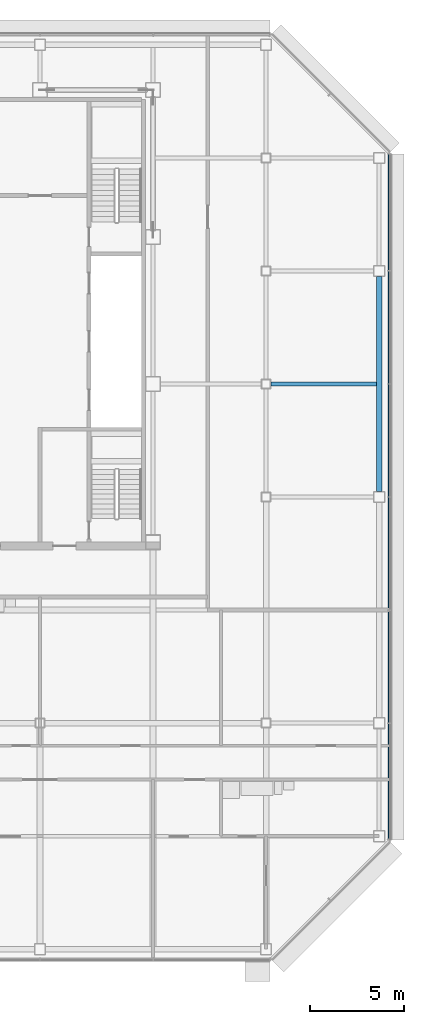
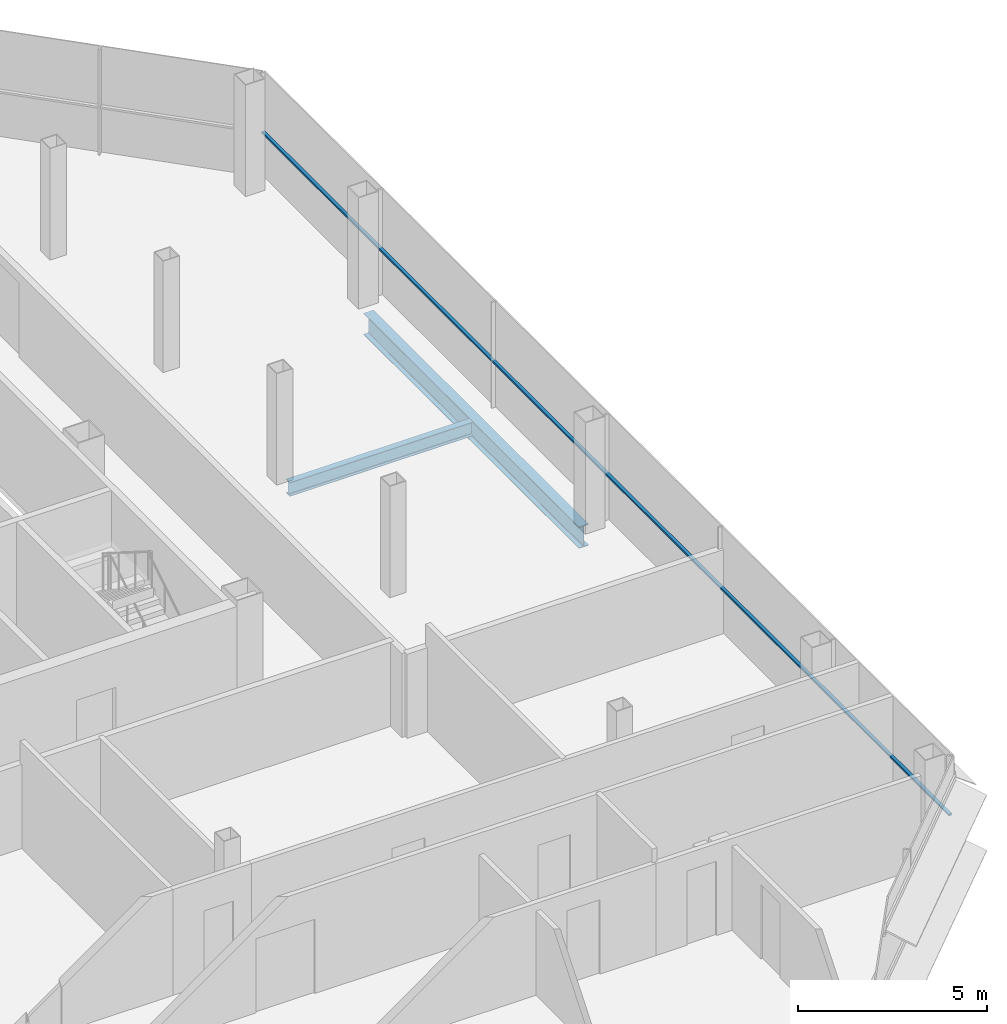
# One storey, part 18 of 28: 2 beams, 1 member, 1 element without a shape of its own.
"""IFC4 building model written with IfcOpenShell, lengths in metres."""

from ifc_helpers import new_model, si_unit, direction, frame, origin, origin_2d, place, context, subcontext, project, spatial, rectangle, i_section, extrude, material, material_profile, profile_set, type_object, element, aggregate, save


model = new_model("IFC4")

# Units and contexts
model_context = context("Model", 3, precision=1e-05, world=origin(), true_north=direction((0.0, 1.0)))
body_context = subcontext(model_context, "Body", "Model", "MODEL_VIEW")
ifc_project = project(units=[si_unit("LENGTHUNIT", "METRE"), si_unit("AREAUNIT", "SQUARE_METRE"), si_unit("VOLUMEUNIT", "CUBIC_METRE"), si_unit("PLANEANGLEUNIT", "RADIAN"), si_unit("MASSUNIT", "GRAM", prefix="KILO")], contexts=[model_context])

# Site, building, storey
site_placement = place(None, origin())
site = spatial("IfcSite", under=ifc_project, at=site_placement, CompositionType="ELEMENT")
building_placement = place(site_placement, origin())
building = spatial("IfcBuilding", under=site, at=building_placement, Name="Sorahane Residences", CompositionType="ELEMENT")
storey_placement = place(building_placement, frame((0.0, 0.0, 266.60009765625)))
storey = spatial("IfcBuildingStorey", under=building, at=storey_placement, Name="L63", CompositionType="ELEMENT", Elevation=266.60009765625)

# Curtain wall, member
ifc_material_1 = material(Name="Dark low-e glass and black anodised aluminium", Category="aluminium")
curtain_wall_type = type_object("IfcCurtainWallType", Name="Curtain wall CW-1 Typical unitised wall", PredefinedType="NOTDEFINED", material=ifc_material_1)
curtain_wall_placement = place(storey_placement, origin())
curtain_wall = element("IfcCurtainWall", 1, at=curtain_wall_placement, inside=storey, type_object=curtain_wall_type, Name="CW-1 curtain wall L63 E1", PredefinedType="NOTDEFINED")
ifc_material_2 = material(Name="Black anodised aluminium", Category="aluminium")
ifc_material_profile_1 = material_profile(ifc_material_2, rectangle(XDim=0.10009765625, YDim=0.06005859375, at=origin_2d()), Name="Curtain wall transom CW-1 black anodised aluminium 60x100")
ifc_profile_set_1 = profile_set([ifc_material_profile_1], Name="Black anodised aluminium")
member_type = type_object("IfcMemberType", Name="Curtain wall transom CW-1 black anodised aluminium 60x100", PredefinedType="USERDEFINED", material=ifc_profile_set_1)
member_placement = place(storey_placement, frame((54.530029296875, 5.801513671875, 1.5), z_axis=(0.0, 1.0, 0.0), x_axis=(-1.0, 0.0, 0.0)))
member = element("IfcMember", 2, at=member_placement, type_object=member_type, Name="CW-1 transom L63 E1", ObjectType="TRANSOM", PredefinedType="USERDEFINED", context=body_context, shape_type="SweptSolid", body=[
    extrude(rectangle(XDim=0.10009765625, YDim=0.06005859375, at=origin_2d()), origin(), (0.0, 0.0, 1.0), 36.39697265625),
])
aggregate(curtain_wall, [member])

# Beams
ifc_material_3 = material(Name="Steel Q355B", Category="steel")
ifc_material_profile_2 = material_profile(ifc_material_3, i_section(OverallWidth=0.199951171875, OverallDepth=0.449951171875, WebThickness=0.009033203125, FlangeThickness=0.013916015625, FilletRadius=0.02001953125, at=origin_2d()), Name="HN 450x200x9x14")
ifc_profile_set_2 = profile_set([ifc_material_profile_2], Name="Steel Q355B")
beam_type_1 = type_object("IfcBeamType", Name="Steel floor beam HN 450x200x9x14 Q355B", PredefinedType="BEAM", material=ifc_profile_set_2)
beam_1_placement = place(storey_placement, frame((48.25, 30.0, -0.405029296875), z_axis=(1.0, 0.0, 0.0), x_axis=(0.0, 1.0, 0.0)))
element("IfcBeam", 3, at=beam_1_placement, inside=storey, type_object=beam_type_1, Name="Beam L63 088", PredefinedType="BEAM", context=body_context, shape_type="SweptSolid", body=[
    extrude(i_section(OverallWidth=0.199951171875, OverallDepth=0.449951171875, WebThickness=0.009033203125, FlangeThickness=0.013916015625, FilletRadius=0.02001953125, at=origin_2d()), origin(), (0.0, 0.0, 1.0), 5.60009765625),
])
ifc_material_4 = material(Name="Steel Q355B", Category="steel")
ifc_material_profile_3 = material_profile(ifc_material_4, i_section(OverallWidth=0.300048828125, OverallDepth=0.699951171875, WebThickness=0.012939453125, FlangeThickness=0.02392578125, FilletRadius=0.028076171875, at=origin_2d()), Name="HN 700x300x13x24")
ifc_profile_set_3 = profile_set([ifc_material_profile_3], Name="Steel Q355B")
beam_type_2 = type_object("IfcBeamType", Name="Steel floor beam HN 700x300x13x24 Q355B", PredefinedType="BEAM", material=ifc_profile_set_3)
beam_2_placement = place(storey_placement, frame((54.0, 24.300048828125, -0.530029296875), z_axis=(0.0, 1.0, 0.0), x_axis=(-1.0, 0.0, 0.0)))
element("IfcBeam", 4, at=beam_2_placement, inside=storey, type_object=beam_type_2, Name="Beam L63 066", PredefinedType="BEAM", context=body_context, shape_type="SweptSolid", body=[
    extrude(i_section(OverallWidth=0.300048828125, OverallDepth=0.699951171875, WebThickness=0.012939453125, FlangeThickness=0.02392578125, FilletRadius=0.028076171875, at=origin_2d()), origin(), (0.0, 0.0, 1.0), 11.39990234375),
])

save(model, "model.ifc")
